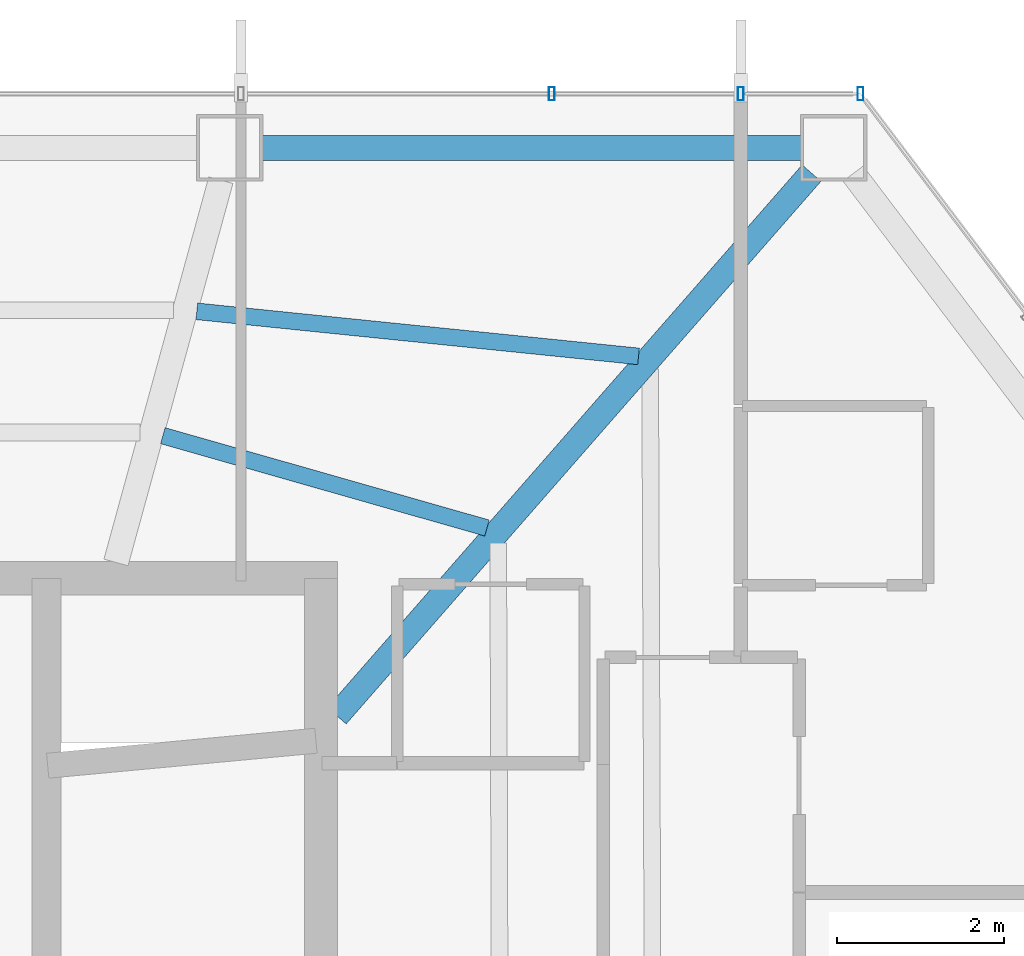
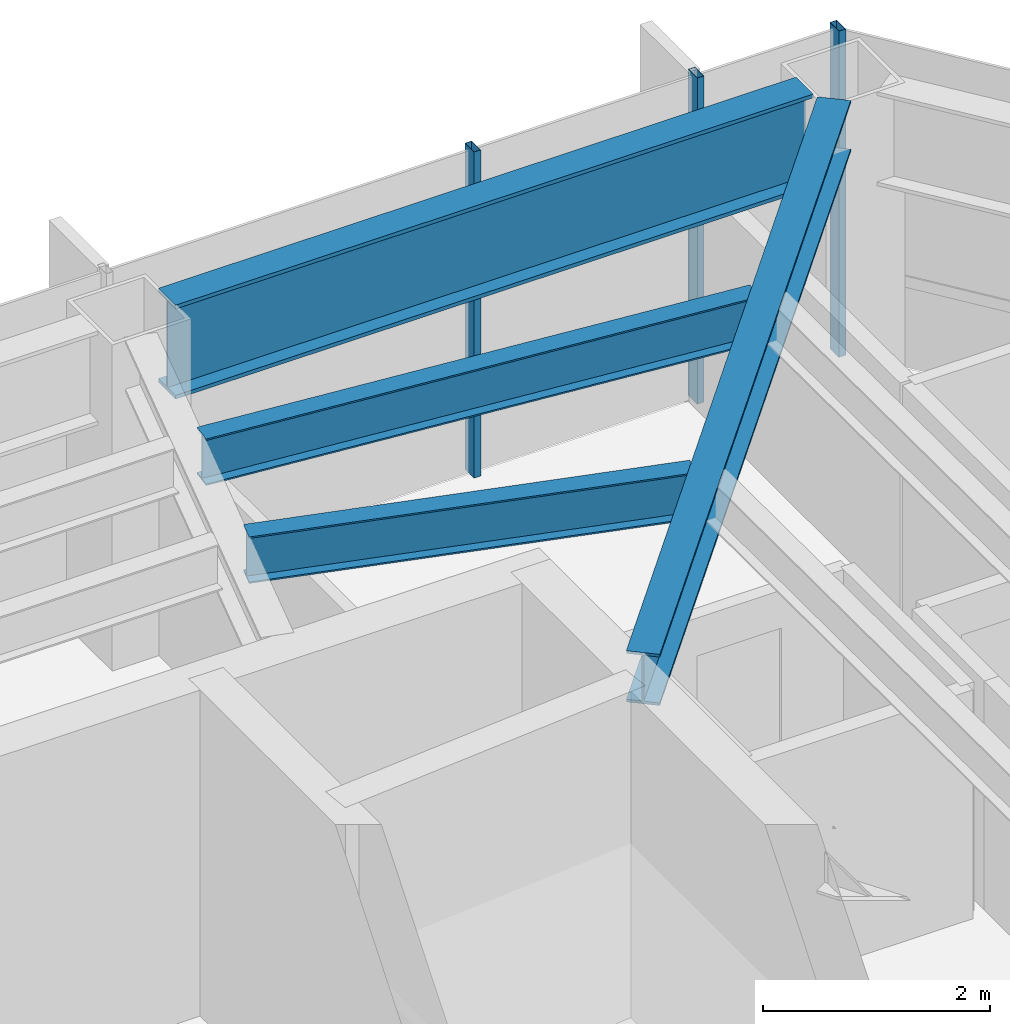
# One storey, part 22 of 28: 4 beams, 3 members, 1 element without a shape of its own.
"""IFC4 building model written with IfcOpenShell, lengths in metres."""

from ifc_helpers import new_model, si_unit, direction, frame, origin, origin_2d, place, context, subcontext, project, spatial, hollow_rectangle, i_section, extrude, material, layer, layer_set, material_profile, profile_set, type_object, element, aggregate, save


model = new_model("IFC4")

# Units and contexts
model_context = context("Model", 3, precision=1e-05, world=origin(), true_north=direction((0.0, 1.0)))
body_context = subcontext(model_context, "Body", "Model", "MODEL_VIEW")
ifc_project = project(units=[si_unit("LENGTHUNIT", "METRE"), si_unit("AREAUNIT", "SQUARE_METRE"), si_unit("VOLUMEUNIT", "CUBIC_METRE"), si_unit("PLANEANGLEUNIT", "RADIAN"), si_unit("MASSUNIT", "GRAM", prefix="KILO")], contexts=[model_context])

# Site, building, storey
site_placement = place(None, origin())
site = spatial("IfcSite", under=ifc_project, at=site_placement, CompositionType="ELEMENT")
building_placement = place(site_placement, origin())
building = spatial("IfcBuilding", under=site, at=building_placement, Name="Zarrinselat Tower", CompositionType="ELEMENT")
storey_placement = place(building_placement, frame((0.0, 0.0, 127.159912109375)))
storey = spatial("IfcBuildingStorey", under=building, at=storey_placement, Name="L30", CompositionType="ELEMENT", Elevation=127.159912109375)

# Beams
ifc_material_1 = material(Name="Steel S355J2", Category="steel")
ifc_material_profile_1 = material_profile(ifc_material_1, i_section(OverallWidth=0.300048828125, OverallDepth=0.550048828125, WebThickness=0.014892578125, FlangeThickness=0.029052734375, at=origin_2d()), Name="HEB 550")
ifc_profile_set_1 = profile_set([ifc_material_profile_1], Name="Steel S355J2")
beam_type_1 = type_object("IfcBeamType", Name="BM-HEB550", PredefinedType="BEAM", material=ifc_profile_set_1)
beam_1_placement = place(storey_placement, frame((48.449951171875, 41.800048828125, 3.22509765625), z_axis=(0.658508601527, 0.752573200237, 0.0), x_axis=(-0.752573200237, 0.658508601527, 0.0)))
element("IfcBeam", 1, at=beam_1_placement, inside=storey, type_object=beam_type_1, Name="L30 Radial Primary Girder RG01", PredefinedType="BEAM", context=body_context, shape_type="SweptSolid", body=[
    extrude(i_section(OverallWidth=0.300048828125, OverallDepth=0.550048828125, WebThickness=0.014892578125, FlangeThickness=0.029052734375, at=origin_2d()), origin(), (0.0, 0.0, 1.0), 8.65576171875),
])
ifc_material_2 = material(Name="Steel S460M", Category="steel")
ifc_material_profile_2 = material_profile(ifc_material_2, i_section(OverallWidth=0.302001953125, OverallDepth=1.008056640625, WebThickness=0.02099609375, FlangeThickness=0.0400390625, at=origin_2d()), Name="HEM 1000")
ifc_profile_set_2 = profile_set([ifc_material_profile_2], Name="Steel S460M")
beam_type_2 = type_object("IfcBeamType", Name="BM-HEM1000", PredefinedType="BEAM", material=ifc_profile_set_2)
beam_2_placement = place(storey_placement, frame((47.552978515625, 48.61669921875, 2.99609375), z_axis=(1.0, 0.0, 0.0), x_axis=(0.0, 1.0, 0.0)))
element("IfcBeam", 2, at=beam_2_placement, inside=storey, type_object=beam_type_2, Name="L30 Perimeter Spandrel Girder SP01", PredefinedType="BEAM", context=body_context, shape_type="SweptSolid", body=[
    extrude(i_section(OverallWidth=0.302001953125, OverallDepth=1.008056640625, WebThickness=0.02099609375, FlangeThickness=0.0400390625, at=origin_2d()), origin(), (0.0, 0.0, 1.0), 6.4736328125),
])
ifc_material_3 = material(Name="Steel S355J2", Category="steel")
ifc_material_profile_3 = material_profile(ifc_material_3, i_section(OverallWidth=0.199951171875, OverallDepth=0.5, WebThickness=0.01025390625, FlangeThickness=0.01611328125, at=origin_2d()), Name="IPE 500")
ifc_profile_set_3 = profile_set([ifc_material_profile_3], Name="Steel S355J2")
beam_type_3 = type_object("IfcBeamType", Name="BM-IPE500", PredefinedType="JOIST", material=ifc_profile_set_3)
beam_3_placement = place(storey_placement, frame((46.77001953125, 46.654541015625, 3.25), z_axis=(0.994835652817, -0.101498886125, 0.0), x_axis=(0.101498886125, 0.994835652817, 0.0)))
element("IfcBeam", 3, at=beam_3_placement, inside=storey, type_object=beam_type_3, Name="L30 Composite Floor Joist 6-1", PredefinedType="JOIST", context=body_context, shape_type="SweptSolid", body=[
    extrude(i_section(OverallWidth=0.199951171875, OverallDepth=0.5, WebThickness=0.01025390625, FlangeThickness=0.01611328125, at=origin_2d()), origin(), (0.0, 0.0, 1.0), 5.330322265625),
])
beam_4_placement = place(storey_placement, frame((46.362548828125, 45.161865234375, 3.25), z_axis=(0.961721812123, -0.274027655697, 0.0), x_axis=(0.274027655697, 0.961721812123, 0.0)))
element("IfcBeam", 4, at=beam_4_placement, inside=storey, type_object=beam_type_3, Name="L30 Composite Floor Joist 6-2", PredefinedType="JOIST", context=body_context, shape_type="SweptSolid", body=[
    extrude(i_section(OverallWidth=0.199951171875, OverallDepth=0.5, WebThickness=0.01025390625, FlangeThickness=0.01611328125, at=origin_2d()), origin(), (0.0, 0.0, 1.0), 4.045654296875),
])

# Curtain wall, members
ifc_material_4 = material(Name="Extruded Aluminium Alloy EN AW-6063 T6", Category="aluminium")
ifc_layer = layer(ifc_material_4, 0.175048828125)
ifc_layer_set = layer_set([ifc_layer], Name="Extruded Aluminium Alloy EN AW-6063 T6")
curtain_wall_type = type_object("IfcCurtainWallType", Name="CWS-HTL", PredefinedType="NOTDEFINED", material=ifc_layer_set)
curtain_wall_placement = place(storey_placement, origin())
curtain_wall = element("IfcCurtainWall", 5, at=curtain_wall_placement, inside=storey, type_object=curtain_wall_type, Name="L30 Unitised Curtain Wall CW-L30-E01", PredefinedType="NOTDEFINED")
ifc_material_5 = material(Name="Extruded Aluminium Alloy EN AW-6063 T6", Category="aluminium")
ifc_material_profile_4 = material_profile(ifc_material_5, hollow_rectangle(XDim=0.070068359375, YDim=0.159912109375, WallThickness=0.00390625, at=origin_2d()), Name="RHS 160x70x4")
ifc_profile_set_4 = profile_set([ifc_material_profile_4], Name="Extruded Aluminium Alloy EN AW-6063 T6")
member_type = type_object("IfcMemberType", Name="MEM-CW-MUL2", PredefinedType="MULLION", material=ifc_profile_set_4)
member_1_placement = place(storey_placement, frame((54.737548828125, 49.2666015625, 0.0), z_axis=(0.0, 0.0, 1.0), x_axis=(-1.0, 0.0, 0.0)))
member_1 = element("IfcMember", 6, at=member_1_placement, type_object=member_type, Name="CW-L30-E01 Mullion 0", PredefinedType="MULLION", context=body_context, shape_type="SweptSolid", body=[
    extrude(hollow_rectangle(XDim=0.070068359375, YDim=0.159912109375, WallThickness=0.00390625, at=origin_2d()), origin(), (0.0, 0.0, 1.0), 3.5),
])
member_2_placement = place(storey_placement, frame((53.300048828125, 49.2666015625, 0.0), z_axis=(0.0, 0.0, 1.0), x_axis=(-1.0, 0.0, 0.0)))
member_2 = element("IfcMember", 7, at=member_2_placement, type_object=member_type, Name="CW-L30-E01 Mullion 1", PredefinedType="MULLION", context=body_context, shape_type="SweptSolid", body=[
    extrude(hollow_rectangle(XDim=0.070068359375, YDim=0.159912109375, WallThickness=0.00390625, at=origin_2d()), origin(), (0.0, 0.0, 1.0), 3.5),
])
member_3_placement = place(storey_placement, frame((51.031982421875, 49.2666015625, 0.0), z_axis=(0.0, 0.0, 1.0), x_axis=(-1.0, 0.0, 0.0)))
member_3 = element("IfcMember", 8, at=member_3_placement, type_object=member_type, Name="CW-L30-E01 Mullion 2", PredefinedType="MULLION", context=body_context, shape_type="SweptSolid", body=[
    extrude(hollow_rectangle(XDim=0.070068359375, YDim=0.159912109375, WallThickness=0.00390625, at=origin_2d()), origin(), (0.0, 0.0, 1.0), 3.5),
])
aggregate(curtain_wall, [member_1, member_2, member_3])

save(model, "model.ifc")
